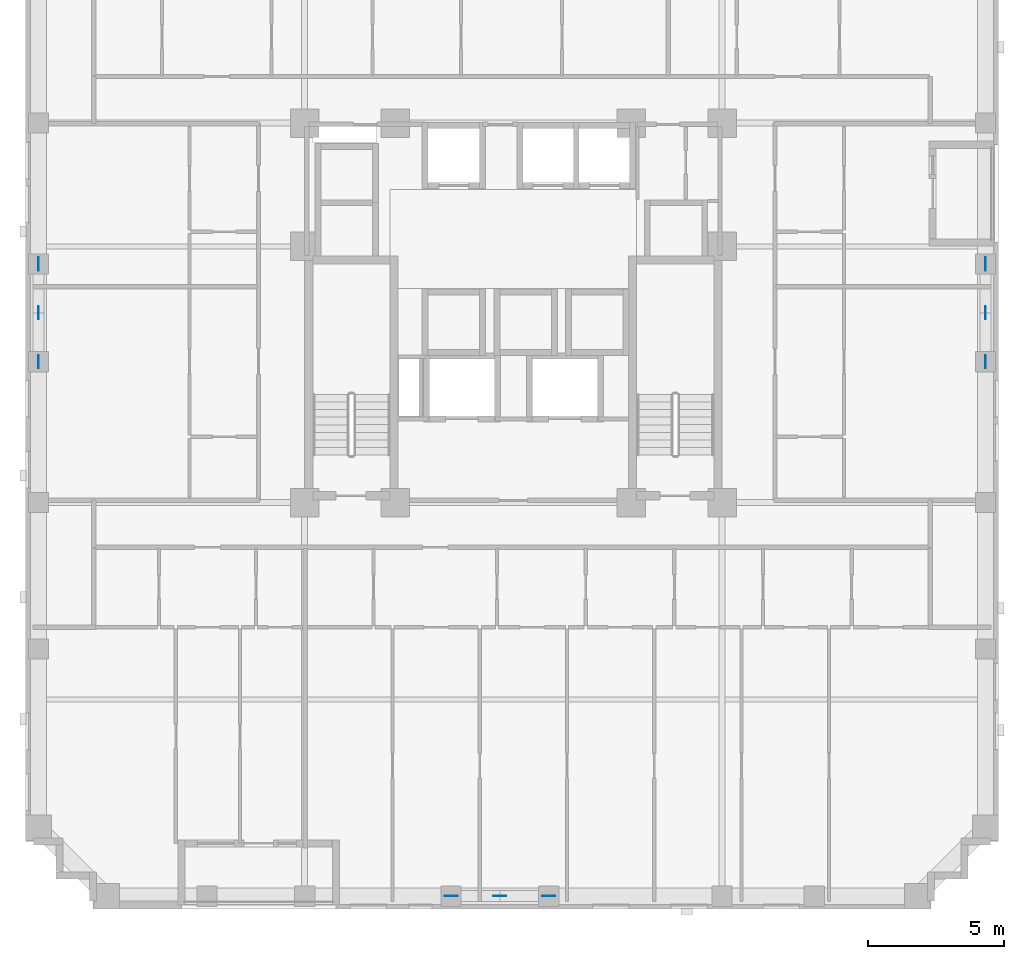
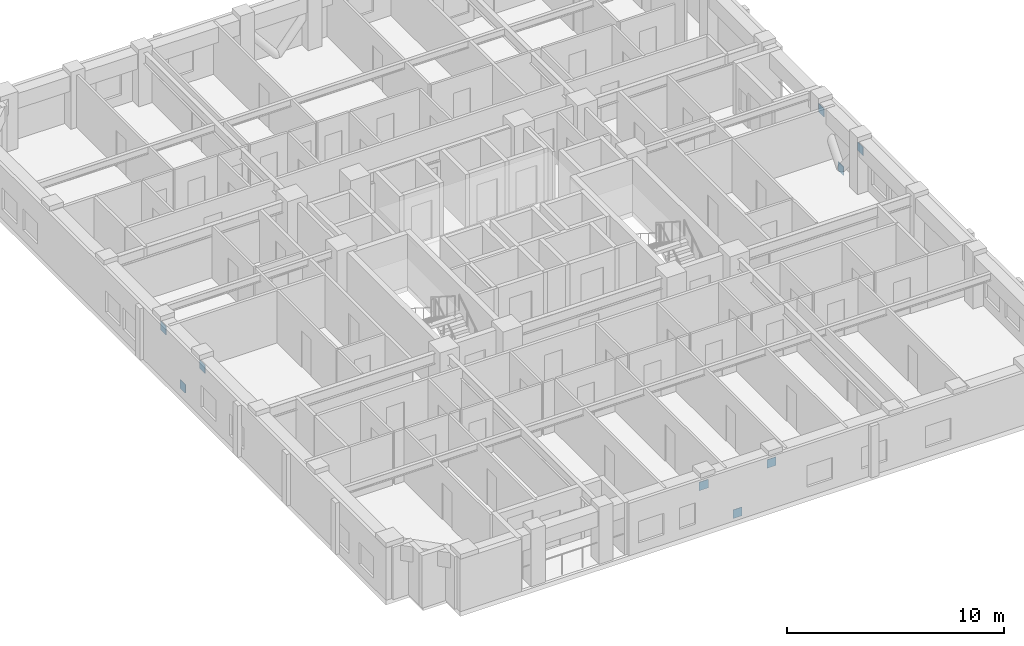
# One storey, part 9 of 12: 9 discrete accessories.
"""IFC4 building model written with IfcOpenShell, lengths in metres."""

from ifc_helpers import new_model, si_unit, derived_unit, direction, frame, origin, origin_2d, place, context, subcontext, project, spatial, rectangle, extrude, material, layer, layer_set, type_object, element, save


model = new_model("IFC4")

# Units and contexts
model_context = context("Model", 3, precision=1e-05, world=origin(), true_north=direction((0.0, 1.0)))
body_context = subcontext(model_context, "Body", "Model", "MODEL_VIEW")
ifc_project = project(units=[si_unit("LENGTHUNIT", "METRE"), si_unit("AREAUNIT", "SQUARE_METRE"), si_unit("VOLUMEUNIT", "CUBIC_METRE"), si_unit("PLANEANGLEUNIT", "RADIAN"), si_unit("MASSUNIT", "GRAM", prefix="KILO"), derived_unit("THERMALTRANSMITTANCEUNIT", [(si_unit("MASSUNIT", "GRAM", prefix="KILO"), 1), (si_unit("TIMEUNIT", "SECOND"), -3), (si_unit("THERMODYNAMICTEMPERATUREUNIT", "KELVIN"), -1)])], contexts=[model_context])

# Site, building, storey
site_placement = place(None, origin())
site = spatial("IfcSite", under=ifc_project, at=site_placement, CompositionType="ELEMENT")
building_placement = place(site_placement, origin())
building = spatial("IfcBuilding", under=site, at=building_placement, Name="Korrvale Station Residences", CompositionType="ELEMENT")
storey_placement = place(building_placement, frame((0.0, 0.0, 110.300048828125)))
storey = spatial("IfcBuildingStorey", under=building, at=storey_placement, Name="L31", CompositionType="ELEMENT", Elevation=110.300048828125)

# Discrete accessories
ifc_material = material(Name="Steel S355", Category="steel")
ifc_layer = layer(ifc_material, 0.02490234375, Name="Steel S355")
ifc_layer_set = layer_set([ifc_layer], Name="Steel S355")
discrete_accessory_type = type_object("IfcDiscreteAccessoryType", Name="ACC-GUSSET-25", PredefinedType="BRACKET", material=ifc_layer_set)
for number, where, z_axis, x_axis, name in (
    (1, (25.0, 0.47998046875, -0.219970703125), (0.0, 0.0, 1.0), (1.0, 0.0, 0.0), "L31 S Brace End Gusset Connection M"),
    (2, (23.199951171875, 0.47998046875, 1.969970703125), (0.0, 0.0, 1.0), (1.0, 0.0, 0.0), "L31 S Brace End Gusset Connection A"),
    (3, (26.800048828125, 0.47998046875, 1.969970703125), (0.0, 0.0, 1.0), (1.0, 0.0, 0.0), "L31 S Brace End Gusset Connection B"),
    (4, (7.97998046875, 22.0, -0.219970703125), (0.0, 0.0, 1.0), (0.0, 1.0, 0.0), "L31 W Brace End Gusset Connection M"),
    (5, (7.97998046875, 20.199951171875, 1.969970703125), (0.0, 0.0, 1.0), (0.0, 1.0, 0.0), "L31 W Brace End Gusset Connection A"),
    (6, (7.97998046875, 23.800048828125, 1.969970703125), (0.0, 0.0, 1.0), (0.0, 1.0, 0.0), "L31 W Brace End Gusset Connection B"),
    (7, (42.919921875, 22.0, -0.219970703125), (0.0, 0.0, 1.0), (0.0, 1.0, 0.0), "L31 E Brace End Gusset Connection M"),
    (8, (42.919921875, 20.199951171875, 1.969970703125), (0.0, 0.0, 1.0), (0.0, 1.0, 0.0), "L31 E Brace End Gusset Connection A"),
    (9, (42.919921875, 23.800048828125, 1.969970703125), (0.0, 0.0, 1.0), (0.0, 1.0, 0.0), "L31 E Brace End Gusset Connection B"),
):
    element("IfcDiscreteAccessory", number, at=place(storey_placement, frame(where, z_axis=z_axis, x_axis=x_axis)), inside=storey, type_object=discrete_accessory_type, Name=name, PredefinedType="BRACKET", context=body_context, shape_type="SweptSolid", body=[
        extrude(rectangle(XDim=0.47998046875, YDim=0.02490234375, at=origin_2d()), origin(), (0.0, 0.0, 1.0), 0.47998046875),
    ])

save(model, "model.ifc")
